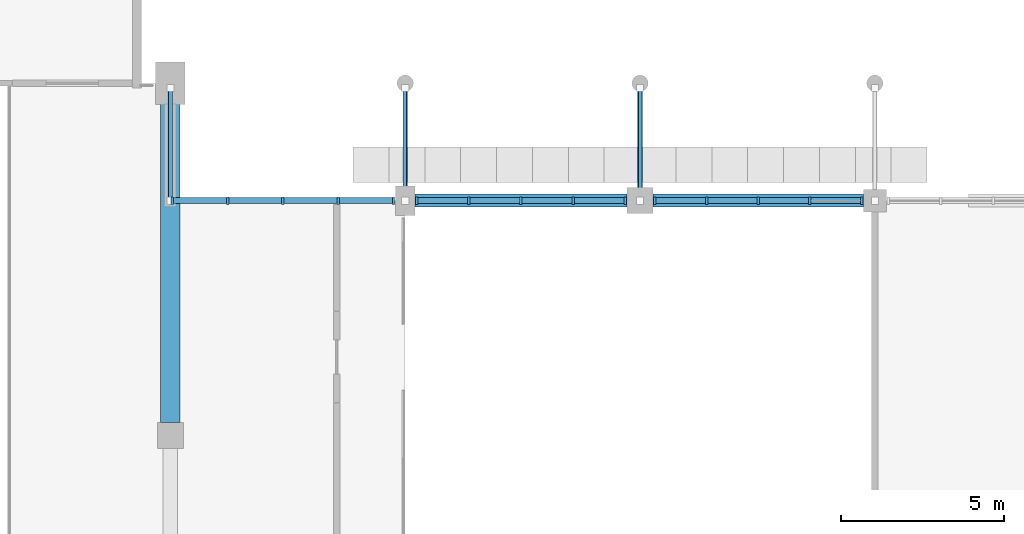
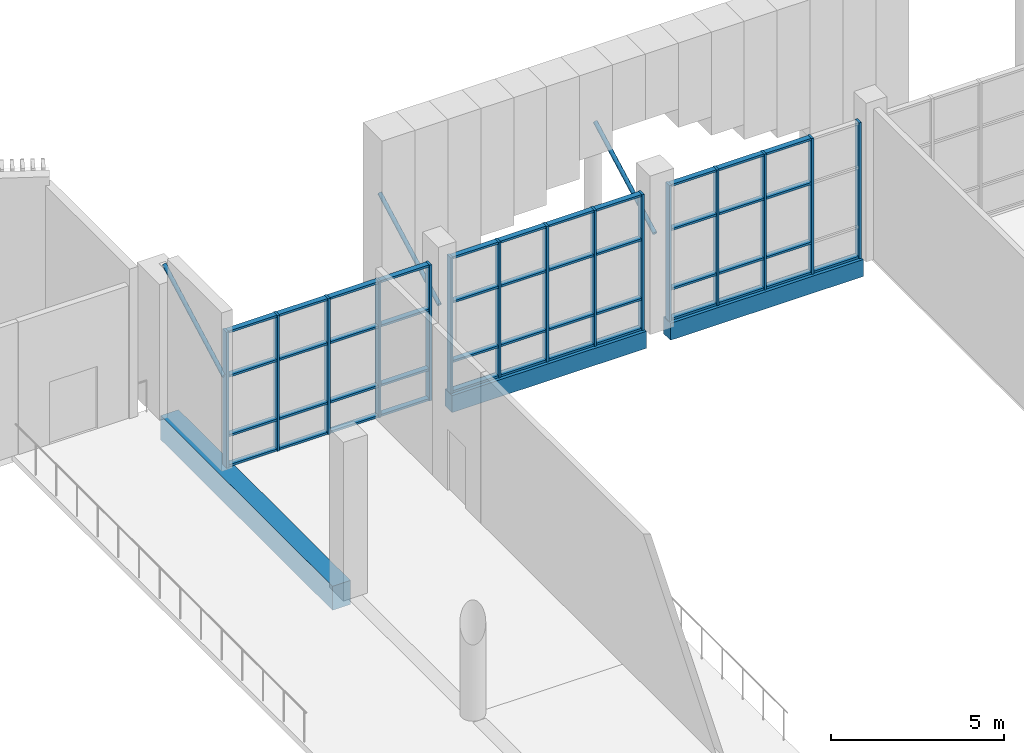
# One storey, part 27 of 80: 63 members, 3 beams, 3 elements without a shape of their own.
"""IFC4 building model written with IfcOpenShell, lengths in metres."""

import ifcopenshell
import ifcopenshell.guid

model = None  # the IFC model being written
_history = None  # IfcOwnerHistory: only IFC2X3 demands one
_inside = {}  # id of a spatial element -> (the spatial element, [elements in it])
_under = {}  # id of a project, library or spatial element -> (it, [spatial elements below it])
_declared = {}  # id of a project -> (the project, [libraries it declares])
_typed = {}  # id of a type object -> (the type object, [elements of that type])
_made_of = {}  # id of a material, layer set ... -> (it, [elements and type objects made of it])


def new_model(schema):
    """Start an empty IFC model of exactly this schema.

    Asked for "IFC4X3", IfcOpenShell would pick the latest addendum, in which some entities
    have other attributes; the version numbers below select the first issue.
    IFC2X3 requires an IfcOwnerHistory on every rooted entity: one is made here for all.
    """
    global model, _history
    if schema == "IFC4X3":
        model = ifcopenshell.file(schema_version=(4, 3, 0, 0))
    else:
        model = ifcopenshell.file(schema=schema)
    _inside.clear()
    _under.clear()
    _declared.clear()
    _typed.clear()
    _made_of.clear()
    _history = None
    if model.schema == "IFC2X3":
        org = make("IfcOrganization", Name="unknown")
        user = make(
            "IfcPersonAndOrganization",
            ThePerson=make("IfcPerson", FamilyName="unknown"),
            TheOrganization=org,
        )
        app = make(
            "IfcApplication",
            ApplicationDeveloper=org,
            Version="unknown",
            ApplicationFullName="unknown",
            ApplicationIdentifier="unknown",
        )
        _history = make(
            "IfcOwnerHistory",
            OwningUser=user,
            OwningApplication=app,
            ChangeAction="ADDED",
            CreationDate=0,
        )
    return model


def make(cls, **values):
    """One entity of the class cls with the attributes given. An attribute that is None is left unset."""
    return model.create_entity(
        cls, **{name: value for name, value in values.items() if value is not None}
    )


def rooted(cls, **values):
    """An entity with a GlobalId (a new one), such as an element, a storey or a relation."""
    return make(cls, GlobalId=ifcopenshell.guid.new(), OwnerHistory=_history, **values)


def si_unit(unit_type, name, prefix=None):
    """IfcSIUnit, for example si_unit("LENGTHUNIT", "METRE", prefix="MILLI")."""
    return make("IfcSIUnit", UnitType=unit_type, Prefix=prefix, Name=name)


def assignment(units):
    """IfcUnitAssignment: the units of a project."""
    return None if units is None else make("IfcUnitAssignment", Units=units)


def point(xyz):
    """IfcCartesianPoint."""
    return None if xyz is None else make("IfcCartesianPoint", Coordinates=xyz)


def direction(xyz):
    """IfcDirection."""
    return None if xyz is None else make("IfcDirection", DirectionRatios=xyz)


def frame(location, z_axis=None, x_axis=None):
    """IfcAxis2Placement3D, a coordinate frame: its origin and axes. An axis left out is left unset."""
    return make(
        "IfcAxis2Placement3D",
        Location=point(location),
        Axis=direction(z_axis),
        RefDirection=direction(x_axis),
    )


def frame_2d(location, x_axis=None):
    """IfcAxis2Placement2D, a coordinate frame in the plane: its origin and x axis."""
    return make(
        "IfcAxis2Placement2D", Location=point(location), RefDirection=direction(x_axis)
    )


def origin():
    """The frame at (0, 0, 0) with its axes left unset."""
    return frame((0.0, 0.0, 0.0))


def origin_2d():
    """The frame at (0, 0) in the plane with its x axis left unset."""
    return frame_2d((0.0, 0.0))


def place(relative_to, where):
    """IfcLocalPlacement: puts the frame where relative to a parent placement (None: the world)."""
    return make(
        "IfcLocalPlacement", PlacementRelTo=relative_to, RelativePlacement=where
    )


def context(
    kind, dimensions, precision=None, world=None, true_north=None, identifier=None
):
    """IfcGeometricRepresentationContext, for example the 3D "Model" context."""
    return make(
        "IfcGeometricRepresentationContext",
        ContextIdentifier=identifier,
        ContextType=kind,
        CoordinateSpaceDimension=dimensions,
        Precision=precision,
        WorldCoordinateSystem=world,
        TrueNorth=true_north,
    )


def subcontext(parent, identifier, kind, view, scale=None):
    """IfcGeometricRepresentationSubContext, for example "Body" below "Model"."""
    return make(
        "IfcGeometricRepresentationSubContext",
        ContextIdentifier=identifier,
        ContextType=kind,
        ParentContext=parent,
        TargetScale=scale,
        TargetView=view,
    )


def project(units=None, contexts=None):
    """IfcProject with its units and contexts."""
    return rooted(
        "IfcProject",
        Name="project",
        RepresentationContexts=contexts,
        UnitsInContext=assignment(units),
    )


def spatial(cls, under=None, at=None, **own):
    """A site, building, storey or space (cls), placed at a placement, below another one or the project."""
    s = rooted(cls, ObjectPlacement=at, **own)
    if under is not None:
        _under.setdefault(under.id(), (under, []))[1].append(s)
    return s


def profile(cls, at=None, kind="AREA", **sizes):
    """A parametric profile (cls). Its sizes go by their IFC names, for example OverallWidth=200.0."""
    return make(cls, ProfileType=kind, Position=at, **sizes)


def rectangle(**sizes):
    """IfcRectangleProfileDef."""
    return profile("IfcRectangleProfileDef", **sizes)


def hollow_circle(**sizes):
    """IfcCircleHollowProfileDef."""
    return profile("IfcCircleHollowProfileDef", **sizes)


def extrude(swept, where, along, depth):
    """IfcExtrudedAreaSolid: the profile swept, set in the frame where, extruded along a direction by depth."""
    return make(
        "IfcExtrudedAreaSolid",
        SweptArea=swept,
        Position=where,
        ExtrudedDirection=direction(along),
        Depth=depth,
    )


def shape(context_of_items, identifier, shape_type, items):
    """IfcShapeRepresentation: the items that make up one representation, for example the "Body"."""
    return make(
        "IfcShapeRepresentation",
        ContextOfItems=context_of_items,
        RepresentationIdentifier=identifier,
        RepresentationType=shape_type,
        Items=items,
    )


def material(Name=None, Category=None):
    """IfcMaterial."""
    return make("IfcMaterial", Name=Name, Category=Category)


def material_profile(
    of_material, cross_section, Name=None, Category=None, Priority=None
):
    """IfcMaterialProfile: a cross section and its material."""
    return make(
        "IfcMaterialProfile",
        Name=Name,
        Material=of_material,
        Profile=cross_section,
        Priority=Priority,
        Category=Category,
    )


def profile_set(profiles, Name=None, composite=None):
    """IfcMaterialProfileSet."""
    return make(
        "IfcMaterialProfileSet",
        Name=Name,
        MaterialProfiles=profiles,
        CompositeProfile=composite,
    )


def made_of(thing, what):
    """Note that an element or type object is made of a material, layer set ...; save() writes the relation."""
    if what is not None:
        _made_of.setdefault(what.id(), (what, []))[1].append(thing)
    return thing


def type_object(cls, material=None, **own):
    """A type object (cls), such as IfcWallType, which elements share."""
    return made_of(rooted(cls, **own), material)


def element(
    cls,
    number,
    at=None,
    inside=None,
    cuts=None,
    type_object=None,
    material=None,
    context=None,
    identifier="Body",
    shape_type=None,
    held_by="IfcProductDefinitionShape",
    body=None,
    shapes=None,
    **own,
):
    """One element of the class cls, such as IfcWall. Its Tag is "e" and its number.

    at: its placement. inside: the storey or other place that contains it. cuts: it is an
    opening in that element (IfcRelVoidsElement). A single representation is given by context,
    identifier, shape_type and body (its items); several are given by shapes. held_by: the class
    of the entity that holds the representations. save() writes the other relations.
    """
    e = rooted(cls, Tag="e%d" % number, ObjectPlacement=at, **own)
    if body is not None:
        shapes = [shape(context, identifier, shape_type, body)]
    if shapes is not None:
        e.Representation = make(held_by, Representations=shapes)
    if inside is not None:
        _inside.setdefault(inside.id(), (inside, []))[1].append(e)
    if cuts is not None:
        rooted(
            "IfcRelVoidsElement", RelatingBuildingElement=cuts, RelatedOpeningElement=e
        )
    if type_object is not None:
        _typed.setdefault(type_object.id(), (type_object, []))[1].append(e)
    return made_of(e, material)


def aggregate(whole, parts):
    """IfcRelAggregates: a whole, such as a stair, and the parts it consists of."""
    return rooted("IfcRelAggregates", RelatingObject=whole, RelatedObjects=parts)


def save(model, path):
    """Write the relations noted so far, then the file.

    IfcRelAggregates (storeys below a building ...), IfcRelContainedInSpatialStructure (elements
    in a storey), IfcRelDefinesByType, IfcRelAssociatesMaterial and IfcRelDeclares: one each for
    every whole, place, type object, material and project.
    """
    for whole, parts in _under.values():
        aggregate(whole, parts)
    for where, things in _inside.values():
        rooted(
            "IfcRelContainedInSpatialStructure",
            RelatedElements=things,
            RelatingStructure=where,
        )
    for kind, things in _typed.values():
        rooted("IfcRelDefinesByType", RelatedObjects=things, RelatingType=kind)
    for what, things in _made_of.values():
        rooted("IfcRelAssociatesMaterial", RelatedObjects=things, RelatingMaterial=what)
    for by, libraries in _declared.values():
        rooted("IfcRelDeclares", RelatingContext=by, RelatedDefinitions=libraries)
    model.write(path)


model = new_model("IFC4")

# Units and contexts
model_context = context("Model", 3, precision=1e-05, world=origin(), true_north=direction((0.0, 1.0)))
body_context = subcontext(model_context, "Body", "Model", "MODEL_VIEW")
ifc_project = project(units=[si_unit("LENGTHUNIT", "METRE"), si_unit("AREAUNIT", "SQUARE_METRE"), si_unit("VOLUMEUNIT", "CUBIC_METRE"), si_unit("PLANEANGLEUNIT", "RADIAN"), si_unit("MASSUNIT", "GRAM", prefix="KILO")], contexts=[model_context])

# Site, building, storey
site_placement = place(None, origin())
site = spatial("IfcSite", under=ifc_project, at=site_placement, CompositionType="ELEMENT")
building_placement = place(site_placement, origin())
building = spatial("IfcBuilding", under=site, at=building_placement, Name="Sardonyx Promenade Sports Hall", CompositionType="ELEMENT")
storey_placement = place(building_placement, frame((0.0, 0.0, 5.60009765625)))
storey = spatial("IfcBuildingStorey", under=building, at=storey_placement, Name="L01", CompositionType="ELEMENT", Elevation=5.60009765625)

# Beams
ifc_material_1 = material(Name="Concrete C50/60", Category="concrete")
ifc_material_profile_1 = material_profile(ifc_material_1, rectangle(XDim=0.60009765625, YDim=0.85009765625, at=origin_2d()))
ifc_profile_set_1 = profile_set([ifc_material_profile_1], Name="Concrete C50/60")
beam_type_1 = type_object("IfcBeamType", Name="Bm_Girder_RC850", PredefinedType="BEAM", material=ifc_profile_set_1)
beam_1_placement = place(storey_placement, frame((79.199951171875, 94.0, -0.425048828125), z_axis=(0.0, 1.0, 0.0), x_axis=(-1.0, 0.0, 0.0)))
element("IfcBeam", 1, at=beam_1_placement, inside=storey, type_object=beam_type_1, Name="Beam BG06 L01 #350", PredefinedType="BEAM", context=body_context, shape_type="SweptSolid", body=[
    extrude(rectangle(XDim=0.60009765625, YDim=0.85009765625, at=origin_2d()), origin(), (0.0, 0.0, 1.0), 9.949951171875),
])
ifc_material_2 = material(Name="Concrete C40/50", Category="concrete")
ifc_material_profile_2 = material_profile(ifc_material_2, rectangle(XDim=0.39990234375, YDim=0.60009765625, at=origin_2d()))
ifc_profile_set_2 = profile_set([ifc_material_profile_2], Name="Concrete C40/50")
beam_type_2 = type_object("IfcBeamType", Name="Bm_Spandrel_RC600", PredefinedType="SPANDREL", material=ifc_profile_set_2)
beam_2_placement = place(storey_placement, frame((86.699951171875, 100.800048828125, -0.300048828125), z_axis=(1.0, 0.0, 0.0), x_axis=(0.0, 1.0, 0.0)))
element("IfcBeam", 2, at=beam_2_placement, inside=storey, type_object=beam_type_2, Name="Beam SPB1 L01 #288", PredefinedType="SPANDREL", context=body_context, shape_type="SweptSolid", body=[
    extrude(rectangle(XDim=0.39990234375, YDim=0.60009765625, at=origin_2d()), origin(), (0.0, 0.0, 1.0), 6.5),
])
beam_3_placement = place(storey_placement, frame((94.0, 100.800048828125, -0.300048828125), z_axis=(1.0, 0.0, 0.0), x_axis=(0.0, 1.0, 0.0)))
element("IfcBeam", 3, at=beam_3_placement, inside=storey, type_object=beam_type_2, Name="Beam SPB1 L01 #289", PredefinedType="SPANDREL", context=body_context, shape_type="SweptSolid", body=[
    extrude(rectangle(XDim=0.39990234375, YDim=0.60009765625, at=origin_2d()), origin(), (0.0, 0.0, 1.0), 6.449951171875),
])

# Curtain wall, members
ifc_material_3 = material(Name="Aluminium 6063-T6", Category="aluminium")
curtain_wall_type = type_object("IfcCurtainWallType", Name="CW_Foyer_L01_Tall", PredefinedType="USERDEFINED", material=ifc_material_3)
curtain_wall_1_placement = place(storey_placement, origin())
curtain_wall_1 = element("IfcCurtainWall", 4, at=curtain_wall_1_placement, inside=storey, type_object=curtain_wall_type, Name="Curtain wall CW02 cw:L01:089", ObjectType="CURTAIN WALL", PredefinedType="USERDEFINED")
ifc_material_4 = material(Name="Aluminium 6063-T6", Category="aluminium")
ifc_material_profile_3 = material_profile(ifc_material_4, rectangle(XDim=0.074951171875, YDim=0.22509765625, at=origin_2d()))
ifc_profile_set_3 = profile_set([ifc_material_profile_3], Name="Aluminium 6063-T6")
member_type_1 = type_object("IfcMemberType", Name="CW_Mull_225", PredefinedType="MULLION", material=ifc_profile_set_3)
member_1_placement = place(storey_placement, frame((79.257568359375, 100.800048828125, 0.0), z_axis=(0.0, 0.0, 1.0), x_axis=(1.0, 0.0, 0.0)))
member_1 = element("IfcMember", 5, at=member_1_placement, type_object=member_type_1, Name="Mullion CM04 cw:L01:089 #1", PredefinedType="MULLION", context=body_context, shape_type="SweptSolid", body=[
    extrude(rectangle(XDim=0.074951171875, YDim=0.22509765625, at=origin_2d()), origin(), (0.0, 0.0, 1.0), 4.7998046875),
])
member_2_placement = place(storey_placement, frame((80.953857421875, 100.800048828125, 0.0), z_axis=(0.0, 0.0, 1.0), x_axis=(1.0, 0.0, 0.0)))
member_2 = element("IfcMember", 6, at=member_2_placement, type_object=member_type_1, Name="Mullion CM04 cw:L01:089 #2", PredefinedType="MULLION", context=body_context, shape_type="SweptSolid", body=[
    extrude(rectangle(XDim=0.074951171875, YDim=0.22509765625, at=origin_2d()), origin(), (0.0, 0.0, 1.0), 4.7998046875),
])
member_3_placement = place(storey_placement, frame((82.64990234375, 100.800048828125, 0.0), z_axis=(0.0, 0.0, 1.0), x_axis=(1.0, 0.0, 0.0)))
member_3 = element("IfcMember", 7, at=member_3_placement, type_object=member_type_1, Name="Mullion CM04 cw:L01:089 #3", PredefinedType="MULLION", context=body_context, shape_type="SweptSolid", body=[
    extrude(rectangle(XDim=0.074951171875, YDim=0.22509765625, at=origin_2d()), origin(), (0.0, 0.0, 1.0), 4.7998046875),
])
member_4_placement = place(storey_placement, frame((84.34619140625, 100.800048828125, 0.0), z_axis=(0.0, 0.0, 1.0), x_axis=(1.0, 0.0, 0.0)))
member_4 = element("IfcMember", 8, at=member_4_placement, type_object=member_type_1, Name="Mullion CM04 cw:L01:089 #4", PredefinedType="MULLION", context=body_context, shape_type="SweptSolid", body=[
    extrude(rectangle(XDim=0.074951171875, YDim=0.22509765625, at=origin_2d()), origin(), (0.0, 0.0, 1.0), 4.7998046875),
])
member_5_placement = place(storey_placement, frame((86.04248046875, 100.800048828125, 0.0), z_axis=(0.0, 0.0, 1.0), x_axis=(1.0, 0.0, 0.0)))
member_5 = element("IfcMember", 9, at=member_5_placement, type_object=member_type_1, Name="Mullion CM04 cw:L01:089 #5", PredefinedType="MULLION", context=body_context, shape_type="SweptSolid", body=[
    extrude(rectangle(XDim=0.074951171875, YDim=0.22509765625, at=origin_2d()), origin(), (0.0, 0.0, 1.0), 4.7998046875),
])

curtain_wall_2_placement = place(storey_placement, origin())
curtain_wall_2 = element("IfcCurtainWall", 10, at=curtain_wall_2_placement, inside=storey, type_object=curtain_wall_type, Name="Curtain wall CW02 cw:L01:090", ObjectType="CURTAIN WALL", PredefinedType="USERDEFINED")
member_6_placement = place(storey_placement, frame((86.757568359375, 100.800048828125, 0.0), z_axis=(0.0, 0.0, 1.0), x_axis=(1.0, 0.0, 0.0)))
member_6 = element("IfcMember", 11, at=member_6_placement, type_object=member_type_1, Name="Mullion CM04 cw:L01:090 #1", PredefinedType="MULLION", context=body_context, shape_type="SweptSolid", body=[
    extrude(rectangle(XDim=0.074951171875, YDim=0.22509765625, at=origin_2d()), origin(), (0.0, 0.0, 1.0), 4.7998046875),
])
member_7_placement = place(storey_placement, frame((88.353759765625, 100.800048828125, 0.0), z_axis=(0.0, 0.0, 1.0), x_axis=(1.0, 0.0, 0.0)))
member_7 = element("IfcMember", 12, at=member_7_placement, type_object=member_type_1, Name="Mullion CM04 cw:L01:090 #2", PredefinedType="MULLION", context=body_context, shape_type="SweptSolid", body=[
    extrude(rectangle(XDim=0.074951171875, YDim=0.22509765625, at=origin_2d()), origin(), (0.0, 0.0, 1.0), 4.7998046875),
])
member_8_placement = place(storey_placement, frame((89.949951171875, 100.800048828125, 0.0), z_axis=(0.0, 0.0, 1.0), x_axis=(1.0, 0.0, 0.0)))
member_8 = element("IfcMember", 13, at=member_8_placement, type_object=member_type_1, Name="Mullion CM04 cw:L01:090 #3", PredefinedType="MULLION", context=body_context, shape_type="SweptSolid", body=[
    extrude(rectangle(XDim=0.074951171875, YDim=0.22509765625, at=origin_2d()), origin(), (0.0, 0.0, 1.0), 4.7998046875),
])
member_9_placement = place(storey_placement, frame((91.546142578125, 100.800048828125, 0.0), z_axis=(0.0, 0.0, 1.0), x_axis=(1.0, 0.0, 0.0)))
member_9 = element("IfcMember", 14, at=member_9_placement, type_object=member_type_1, Name="Mullion CM04 cw:L01:090 #4", PredefinedType="MULLION", context=body_context, shape_type="SweptSolid", body=[
    extrude(rectangle(XDim=0.074951171875, YDim=0.22509765625, at=origin_2d()), origin(), (0.0, 0.0, 1.0), 4.7998046875),
])
member_10_placement = place(storey_placement, frame((93.142578125, 100.800048828125, 0.0), z_axis=(0.0, 0.0, 1.0), x_axis=(1.0, 0.0, 0.0)))
member_10 = element("IfcMember", 15, at=member_10_placement, type_object=member_type_1, Name="Mullion CM04 cw:L01:090 #5", PredefinedType="MULLION", context=body_context, shape_type="SweptSolid", body=[
    extrude(rectangle(XDim=0.074951171875, YDim=0.22509765625, at=origin_2d()), origin(), (0.0, 0.0, 1.0), 4.7998046875),
])

curtain_wall_3_placement = place(storey_placement, origin())
curtain_wall_3 = element("IfcCurtainWall", 16, at=curtain_wall_3_placement, inside=storey, type_object=curtain_wall_type, Name="Curtain wall CW02 cw:L01:091", ObjectType="CURTAIN WALL", PredefinedType="USERDEFINED")
member_11_placement = place(storey_placement, frame((94.0576171875, 100.800048828125, 0.0), z_axis=(0.0, 0.0, 1.0), x_axis=(1.0, 0.0, 0.0)))
member_11 = element("IfcMember", 17, at=member_11_placement, type_object=member_type_1, Name="Mullion CM04 cw:L01:091 #1", PredefinedType="MULLION", context=body_context, shape_type="SweptSolid", body=[
    extrude(rectangle(XDim=0.074951171875, YDim=0.22509765625, at=origin_2d()), origin(), (0.0, 0.0, 1.0), 4.7998046875),
])
member_12_placement = place(storey_placement, frame((95.641357421875, 100.800048828125, 0.0), z_axis=(0.0, 0.0, 1.0), x_axis=(1.0, 0.0, 0.0)))
member_12 = element("IfcMember", 18, at=member_12_placement, type_object=member_type_1, Name="Mullion CM04 cw:L01:091 #2", PredefinedType="MULLION", context=body_context, shape_type="SweptSolid", body=[
    extrude(rectangle(XDim=0.074951171875, YDim=0.22509765625, at=origin_2d()), origin(), (0.0, 0.0, 1.0), 4.7998046875),
])
member_13_placement = place(storey_placement, frame((97.22509765625, 100.800048828125, 0.0), z_axis=(0.0, 0.0, 1.0), x_axis=(1.0, 0.0, 0.0)))
member_13 = element("IfcMember", 19, at=member_13_placement, type_object=member_type_1, Name="Mullion CM04 cw:L01:091 #3", PredefinedType="MULLION", context=body_context, shape_type="SweptSolid", body=[
    extrude(rectangle(XDim=0.074951171875, YDim=0.22509765625, at=origin_2d()), origin(), (0.0, 0.0, 1.0), 4.7998046875),
])
member_14_placement = place(storey_placement, frame((98.808837890625, 100.800048828125, 0.0), z_axis=(0.0, 0.0, 1.0), x_axis=(1.0, 0.0, 0.0)))
member_14 = element("IfcMember", 20, at=member_14_placement, type_object=member_type_1, Name="Mullion CM04 cw:L01:091 #4", PredefinedType="MULLION", context=body_context, shape_type="SweptSolid", body=[
    extrude(rectangle(XDim=0.074951171875, YDim=0.22509765625, at=origin_2d()), origin(), (0.0, 0.0, 1.0), 4.7998046875),
])
member_15_placement = place(storey_placement, frame((100.392578125, 100.800048828125, 0.0), z_axis=(0.0, 0.0, 1.0), x_axis=(1.0, 0.0, 0.0)))
member_15 = element("IfcMember", 21, at=member_15_placement, type_object=member_type_1, Name="Mullion CM04 cw:L01:091 #5", PredefinedType="MULLION", context=body_context, shape_type="SweptSolid", body=[
    extrude(rectangle(XDim=0.074951171875, YDim=0.22509765625, at=origin_2d()), origin(), (0.0, 0.0, 1.0), 4.7998046875),
])

# Member
ifc_material_5 = material(Name="Aluminium 6063-T6", Category="aluminium")
ifc_material_profile_4 = material_profile(ifc_material_5, rectangle(XDim=0.074951171875, YDim=0.179931640625, at=origin_2d()))
ifc_profile_set_4 = profile_set([ifc_material_profile_4], Name="Aluminium 6063-T6")
member_type_2 = type_object("IfcMemberType", Name="CW_Tran_180", PredefinedType="USERDEFINED", material=ifc_profile_set_4)
member_16_placement = place(storey_placement, frame((79.294921875, 100.800048828125, 0.037353515625), z_axis=(1.0, 0.0, 0.0), x_axis=(0.0, 0.0, 1.0)))
member_16 = element("IfcMember", 22, at=member_16_placement, type_object=member_type_2, Name="Transom CT04 cw:L01:089 #1", ObjectType="TRANSOM", PredefinedType="USERDEFINED", context=body_context, shape_type="SweptSolid", body=[
    extrude(rectangle(XDim=0.074951171875, YDim=0.179931640625, at=origin_2d()), origin(), (0.0, 0.0, 1.0), 1.621337890625),
])

member_17_placement = place(storey_placement, frame((79.294921875, 100.800048828125, 1.099853515625), z_axis=(1.0, 0.0, 0.0), x_axis=(0.0, 0.0, 1.0)))
member_17 = element("IfcMember", 23, at=member_17_placement, type_object=member_type_2, Name="Transom CT04 cw:L01:089 #2", ObjectType="TRANSOM", PredefinedType="USERDEFINED", context=body_context, shape_type="SweptSolid", body=[
    extrude(rectangle(XDim=0.074951171875, YDim=0.179931640625, at=origin_2d()), origin(), (0.0, 0.0, 1.0), 1.621337890625),
])

member_18_placement = place(storey_placement, frame((79.294921875, 100.800048828125, 3.199951171875), z_axis=(1.0, 0.0, 0.0), x_axis=(0.0, 0.0, 1.0)))
member_18 = element("IfcMember", 24, at=member_18_placement, type_object=member_type_2, Name="Transom CT04 cw:L01:089 #3", ObjectType="TRANSOM", PredefinedType="USERDEFINED", context=body_context, shape_type="SweptSolid", body=[
    extrude(rectangle(XDim=0.074951171875, YDim=0.179931640625, at=origin_2d()), origin(), (0.0, 0.0, 1.0), 1.621337890625),
])

member_19_placement = place(storey_placement, frame((79.294921875, 100.800048828125, 4.762451171875), z_axis=(1.0, 0.0, 0.0), x_axis=(0.0, 0.0, 1.0)))
member_19 = element("IfcMember", 25, at=member_19_placement, type_object=member_type_2, Name="Transom CT04 cw:L01:089 #4", ObjectType="TRANSOM", PredefinedType="USERDEFINED", context=body_context, shape_type="SweptSolid", body=[
    extrude(rectangle(XDim=0.074951171875, YDim=0.179931640625, at=origin_2d()), origin(), (0.0, 0.0, 1.0), 1.621337890625),
])

member_20_placement = place(storey_placement, frame((80.9912109375, 100.800048828125, 0.037353515625), z_axis=(1.0, 0.0, 0.0), x_axis=(0.0, 0.0, 1.0)))
member_20 = element("IfcMember", 26, at=member_20_placement, type_object=member_type_2, Name="Transom CT04 cw:L01:089 #5", ObjectType="TRANSOM", PredefinedType="USERDEFINED", context=body_context, shape_type="SweptSolid", body=[
    extrude(rectangle(XDim=0.074951171875, YDim=0.179931640625, at=origin_2d()), origin(), (0.0, 0.0, 1.0), 1.621337890625),
])

member_21_placement = place(storey_placement, frame((80.9912109375, 100.800048828125, 1.099853515625), z_axis=(1.0, 0.0, 0.0), x_axis=(0.0, 0.0, 1.0)))
member_21 = element("IfcMember", 27, at=member_21_placement, type_object=member_type_2, Name="Transom CT04 cw:L01:089 #6", ObjectType="TRANSOM", PredefinedType="USERDEFINED", context=body_context, shape_type="SweptSolid", body=[
    extrude(rectangle(XDim=0.074951171875, YDim=0.179931640625, at=origin_2d()), origin(), (0.0, 0.0, 1.0), 1.621337890625),
])

member_22_placement = place(storey_placement, frame((80.9912109375, 100.800048828125, 3.199951171875), z_axis=(1.0, 0.0, 0.0), x_axis=(0.0, 0.0, 1.0)))
member_22 = element("IfcMember", 28, at=member_22_placement, type_object=member_type_2, Name="Transom CT04 cw:L01:089 #7", ObjectType="TRANSOM", PredefinedType="USERDEFINED", context=body_context, shape_type="SweptSolid", body=[
    extrude(rectangle(XDim=0.074951171875, YDim=0.179931640625, at=origin_2d()), origin(), (0.0, 0.0, 1.0), 1.621337890625),
])

member_23_placement = place(storey_placement, frame((80.9912109375, 100.800048828125, 4.762451171875), z_axis=(1.0, 0.0, 0.0), x_axis=(0.0, 0.0, 1.0)))
member_23 = element("IfcMember", 29, at=member_23_placement, type_object=member_type_2, Name="Transom CT04 cw:L01:089 #8", ObjectType="TRANSOM", PredefinedType="USERDEFINED", context=body_context, shape_type="SweptSolid", body=[
    extrude(rectangle(XDim=0.074951171875, YDim=0.179931640625, at=origin_2d()), origin(), (0.0, 0.0, 1.0), 1.621337890625),
])

member_24_placement = place(storey_placement, frame((82.6875, 100.800048828125, 0.037353515625), z_axis=(1.0, 0.0, 0.0), x_axis=(0.0, 0.0, 1.0)))
member_24 = element("IfcMember", 30, at=member_24_placement, type_object=member_type_2, Name="Transom CT04 cw:L01:089 #9", ObjectType="TRANSOM", PredefinedType="USERDEFINED", context=body_context, shape_type="SweptSolid", body=[
    extrude(rectangle(XDim=0.074951171875, YDim=0.179931640625, at=origin_2d()), origin(), (0.0, 0.0, 1.0), 1.621337890625),
])

member_25_placement = place(storey_placement, frame((82.6875, 100.800048828125, 1.099853515625), z_axis=(1.0, 0.0, 0.0), x_axis=(0.0, 0.0, 1.0)))
member_25 = element("IfcMember", 31, at=member_25_placement, type_object=member_type_2, Name="Transom CT04 cw:L01:089 #10", ObjectType="TRANSOM", PredefinedType="USERDEFINED", context=body_context, shape_type="SweptSolid", body=[
    extrude(rectangle(XDim=0.074951171875, YDim=0.179931640625, at=origin_2d()), origin(), (0.0, 0.0, 1.0), 1.621337890625),
])

member_26_placement = place(storey_placement, frame((82.6875, 100.800048828125, 3.199951171875), z_axis=(1.0, 0.0, 0.0), x_axis=(0.0, 0.0, 1.0)))
member_26 = element("IfcMember", 32, at=member_26_placement, type_object=member_type_2, Name="Transom CT04 cw:L01:089 #11", ObjectType="TRANSOM", PredefinedType="USERDEFINED", context=body_context, shape_type="SweptSolid", body=[
    extrude(rectangle(XDim=0.074951171875, YDim=0.179931640625, at=origin_2d()), origin(), (0.0, 0.0, 1.0), 1.621337890625),
])

member_27_placement = place(storey_placement, frame((82.6875, 100.800048828125, 4.762451171875), z_axis=(1.0, 0.0, 0.0), x_axis=(0.0, 0.0, 1.0)))
member_27 = element("IfcMember", 33, at=member_27_placement, type_object=member_type_2, Name="Transom CT04 cw:L01:089 #12", ObjectType="TRANSOM", PredefinedType="USERDEFINED", context=body_context, shape_type="SweptSolid", body=[
    extrude(rectangle(XDim=0.074951171875, YDim=0.179931640625, at=origin_2d()), origin(), (0.0, 0.0, 1.0), 1.621337890625),
])

member_28_placement = place(storey_placement, frame((84.3837890625, 100.800048828125, 0.037353515625), z_axis=(1.0, 0.0, 0.0), x_axis=(0.0, 0.0, 1.0)))
member_28 = element("IfcMember", 34, at=member_28_placement, type_object=member_type_2, Name="Transom CT04 cw:L01:089 #13", ObjectType="TRANSOM", PredefinedType="USERDEFINED", context=body_context, shape_type="SweptSolid", body=[
    extrude(rectangle(XDim=0.074951171875, YDim=0.179931640625, at=origin_2d()), origin(), (0.0, 0.0, 1.0), 1.62109375),
])

member_29_placement = place(storey_placement, frame((84.3837890625, 100.800048828125, 1.099853515625), z_axis=(1.0, 0.0, 0.0), x_axis=(0.0, 0.0, 1.0)))
member_29 = element("IfcMember", 35, at=member_29_placement, type_object=member_type_2, Name="Transom CT04 cw:L01:089 #14", ObjectType="TRANSOM", PredefinedType="USERDEFINED", context=body_context, shape_type="SweptSolid", body=[
    extrude(rectangle(XDim=0.074951171875, YDim=0.179931640625, at=origin_2d()), origin(), (0.0, 0.0, 1.0), 1.62109375),
])

member_30_placement = place(storey_placement, frame((84.3837890625, 100.800048828125, 3.199951171875), z_axis=(1.0, 0.0, 0.0), x_axis=(0.0, 0.0, 1.0)))
member_30 = element("IfcMember", 36, at=member_30_placement, type_object=member_type_2, Name="Transom CT04 cw:L01:089 #15", ObjectType="TRANSOM", PredefinedType="USERDEFINED", context=body_context, shape_type="SweptSolid", body=[
    extrude(rectangle(XDim=0.074951171875, YDim=0.179931640625, at=origin_2d()), origin(), (0.0, 0.0, 1.0), 1.62109375),
])

member_31_placement = place(storey_placement, frame((84.3837890625, 100.800048828125, 4.762451171875), z_axis=(1.0, 0.0, 0.0), x_axis=(0.0, 0.0, 1.0)))
member_31 = element("IfcMember", 37, at=member_31_placement, type_object=member_type_2, Name="Transom CT04 cw:L01:089 #16", ObjectType="TRANSOM", PredefinedType="USERDEFINED", context=body_context, shape_type="SweptSolid", body=[
    extrude(rectangle(XDim=0.074951171875, YDim=0.179931640625, at=origin_2d()), origin(), (0.0, 0.0, 1.0), 1.62109375),
])

aggregate(curtain_wall_1, [member_1, member_2, member_3, member_4, member_5, member_16, member_17, member_18, member_19, member_20, member_21, member_22, member_23, member_24, member_25, member_26, member_27, member_28, member_29, member_30, member_31])

member_32_placement = place(storey_placement, frame((86.794921875, 100.800048828125, 0.037353515625), z_axis=(1.0, 0.0, 0.0), x_axis=(0.0, 0.0, 1.0)))
member_32 = element("IfcMember", 38, at=member_32_placement, type_object=member_type_2, Name="Transom CT04 cw:L01:090 #1", ObjectType="TRANSOM", PredefinedType="USERDEFINED", context=body_context, shape_type="SweptSolid", body=[
    extrude(rectangle(XDim=0.074951171875, YDim=0.179931640625, at=origin_2d()), origin(), (0.0, 0.0, 1.0), 1.521240234375),
])

member_33_placement = place(storey_placement, frame((86.794921875, 100.800048828125, 1.099853515625), z_axis=(1.0, 0.0, 0.0), x_axis=(0.0, 0.0, 1.0)))
member_33 = element("IfcMember", 39, at=member_33_placement, type_object=member_type_2, Name="Transom CT04 cw:L01:090 #2", ObjectType="TRANSOM", PredefinedType="USERDEFINED", context=body_context, shape_type="SweptSolid", body=[
    extrude(rectangle(XDim=0.074951171875, YDim=0.179931640625, at=origin_2d()), origin(), (0.0, 0.0, 1.0), 1.521240234375),
])

member_34_placement = place(storey_placement, frame((86.794921875, 100.800048828125, 3.199951171875), z_axis=(1.0, 0.0, 0.0), x_axis=(0.0, 0.0, 1.0)))
member_34 = element("IfcMember", 40, at=member_34_placement, type_object=member_type_2, Name="Transom CT04 cw:L01:090 #3", ObjectType="TRANSOM", PredefinedType="USERDEFINED", context=body_context, shape_type="SweptSolid", body=[
    extrude(rectangle(XDim=0.074951171875, YDim=0.179931640625, at=origin_2d()), origin(), (0.0, 0.0, 1.0), 1.521240234375),
])

member_35_placement = place(storey_placement, frame((86.794921875, 100.800048828125, 4.762451171875), z_axis=(1.0, 0.0, 0.0), x_axis=(0.0, 0.0, 1.0)))
member_35 = element("IfcMember", 41, at=member_35_placement, type_object=member_type_2, Name="Transom CT04 cw:L01:090 #4", ObjectType="TRANSOM", PredefinedType="USERDEFINED", context=body_context, shape_type="SweptSolid", body=[
    extrude(rectangle(XDim=0.074951171875, YDim=0.179931640625, at=origin_2d()), origin(), (0.0, 0.0, 1.0), 1.521240234375),
])

member_36_placement = place(storey_placement, frame((88.391357421875, 100.800048828125, 0.037353515625), z_axis=(1.0, 0.0, 0.0), x_axis=(0.0, 0.0, 1.0)))
member_36 = element("IfcMember", 42, at=member_36_placement, type_object=member_type_2, Name="Transom CT04 cw:L01:090 #5", ObjectType="TRANSOM", PredefinedType="USERDEFINED", context=body_context, shape_type="SweptSolid", body=[
    extrude(rectangle(XDim=0.074951171875, YDim=0.179931640625, at=origin_2d()), origin(), (0.0, 0.0, 1.0), 1.521240234375),
])

member_37_placement = place(storey_placement, frame((88.391357421875, 100.800048828125, 1.099853515625), z_axis=(1.0, 0.0, 0.0), x_axis=(0.0, 0.0, 1.0)))
member_37 = element("IfcMember", 43, at=member_37_placement, type_object=member_type_2, Name="Transom CT04 cw:L01:090 #6", ObjectType="TRANSOM", PredefinedType="USERDEFINED", context=body_context, shape_type="SweptSolid", body=[
    extrude(rectangle(XDim=0.074951171875, YDim=0.179931640625, at=origin_2d()), origin(), (0.0, 0.0, 1.0), 1.521240234375),
])

member_38_placement = place(storey_placement, frame((88.391357421875, 100.800048828125, 3.199951171875), z_axis=(1.0, 0.0, 0.0), x_axis=(0.0, 0.0, 1.0)))
member_38 = element("IfcMember", 44, at=member_38_placement, type_object=member_type_2, Name="Transom CT04 cw:L01:090 #7", ObjectType="TRANSOM", PredefinedType="USERDEFINED", context=body_context, shape_type="SweptSolid", body=[
    extrude(rectangle(XDim=0.074951171875, YDim=0.179931640625, at=origin_2d()), origin(), (0.0, 0.0, 1.0), 1.521240234375),
])

member_39_placement = place(storey_placement, frame((88.391357421875, 100.800048828125, 4.762451171875), z_axis=(1.0, 0.0, 0.0), x_axis=(0.0, 0.0, 1.0)))
member_39 = element("IfcMember", 45, at=member_39_placement, type_object=member_type_2, Name="Transom CT04 cw:L01:090 #8", ObjectType="TRANSOM", PredefinedType="USERDEFINED", context=body_context, shape_type="SweptSolid", body=[
    extrude(rectangle(XDim=0.074951171875, YDim=0.179931640625, at=origin_2d()), origin(), (0.0, 0.0, 1.0), 1.521240234375),
])

member_40_placement = place(storey_placement, frame((89.987548828125, 100.800048828125, 0.037353515625), z_axis=(1.0, 0.0, 0.0), x_axis=(0.0, 0.0, 1.0)))
member_40 = element("IfcMember", 46, at=member_40_placement, type_object=member_type_2, Name="Transom CT04 cw:L01:090 #9", ObjectType="TRANSOM", PredefinedType="USERDEFINED", context=body_context, shape_type="SweptSolid", body=[
    extrude(rectangle(XDim=0.074951171875, YDim=0.179931640625, at=origin_2d()), origin(), (0.0, 0.0, 1.0), 1.521240234375),
])

member_41_placement = place(storey_placement, frame((89.987548828125, 100.800048828125, 1.099853515625), z_axis=(1.0, 0.0, 0.0), x_axis=(0.0, 0.0, 1.0)))
member_41 = element("IfcMember", 47, at=member_41_placement, type_object=member_type_2, Name="Transom CT04 cw:L01:090 #10", ObjectType="TRANSOM", PredefinedType="USERDEFINED", context=body_context, shape_type="SweptSolid", body=[
    extrude(rectangle(XDim=0.074951171875, YDim=0.179931640625, at=origin_2d()), origin(), (0.0, 0.0, 1.0), 1.521240234375),
])

member_42_placement = place(storey_placement, frame((89.987548828125, 100.800048828125, 3.199951171875), z_axis=(1.0, 0.0, 0.0), x_axis=(0.0, 0.0, 1.0)))
member_42 = element("IfcMember", 48, at=member_42_placement, type_object=member_type_2, Name="Transom CT04 cw:L01:090 #11", ObjectType="TRANSOM", PredefinedType="USERDEFINED", context=body_context, shape_type="SweptSolid", body=[
    extrude(rectangle(XDim=0.074951171875, YDim=0.179931640625, at=origin_2d()), origin(), (0.0, 0.0, 1.0), 1.521240234375),
])

member_43_placement = place(storey_placement, frame((89.987548828125, 100.800048828125, 4.762451171875), z_axis=(1.0, 0.0, 0.0), x_axis=(0.0, 0.0, 1.0)))
member_43 = element("IfcMember", 49, at=member_43_placement, type_object=member_type_2, Name="Transom CT04 cw:L01:090 #12", ObjectType="TRANSOM", PredefinedType="USERDEFINED", context=body_context, shape_type="SweptSolid", body=[
    extrude(rectangle(XDim=0.074951171875, YDim=0.179931640625, at=origin_2d()), origin(), (0.0, 0.0, 1.0), 1.521240234375),
])

member_44_placement = place(storey_placement, frame((91.583740234375, 100.800048828125, 0.037353515625), z_axis=(1.0, 0.0, 0.0), x_axis=(0.0, 0.0, 1.0)))
member_44 = element("IfcMember", 50, at=member_44_placement, type_object=member_type_2, Name="Transom CT04 cw:L01:090 #13", ObjectType="TRANSOM", PredefinedType="USERDEFINED", context=body_context, shape_type="SweptSolid", body=[
    extrude(rectangle(XDim=0.074951171875, YDim=0.179931640625, at=origin_2d()), origin(), (0.0, 0.0, 1.0), 1.521240234375),
])

member_45_placement = place(storey_placement, frame((91.583740234375, 100.800048828125, 1.099853515625), z_axis=(1.0, 0.0, 0.0), x_axis=(0.0, 0.0, 1.0)))
member_45 = element("IfcMember", 51, at=member_45_placement, type_object=member_type_2, Name="Transom CT04 cw:L01:090 #14", ObjectType="TRANSOM", PredefinedType="USERDEFINED", context=body_context, shape_type="SweptSolid", body=[
    extrude(rectangle(XDim=0.074951171875, YDim=0.179931640625, at=origin_2d()), origin(), (0.0, 0.0, 1.0), 1.521240234375),
])

member_46_placement = place(storey_placement, frame((91.583740234375, 100.800048828125, 3.199951171875), z_axis=(1.0, 0.0, 0.0), x_axis=(0.0, 0.0, 1.0)))
member_46 = element("IfcMember", 52, at=member_46_placement, type_object=member_type_2, Name="Transom CT04 cw:L01:090 #15", ObjectType="TRANSOM", PredefinedType="USERDEFINED", context=body_context, shape_type="SweptSolid", body=[
    extrude(rectangle(XDim=0.074951171875, YDim=0.179931640625, at=origin_2d()), origin(), (0.0, 0.0, 1.0), 1.521240234375),
])

member_47_placement = place(storey_placement, frame((91.583740234375, 100.800048828125, 4.762451171875), z_axis=(1.0, 0.0, 0.0), x_axis=(0.0, 0.0, 1.0)))
member_47 = element("IfcMember", 53, at=member_47_placement, type_object=member_type_2, Name="Transom CT04 cw:L01:090 #16", ObjectType="TRANSOM", PredefinedType="USERDEFINED", context=body_context, shape_type="SweptSolid", body=[
    extrude(rectangle(XDim=0.074951171875, YDim=0.179931640625, at=origin_2d()), origin(), (0.0, 0.0, 1.0), 1.521240234375),
])

aggregate(curtain_wall_2, [member_6, member_7, member_8, member_9, member_10, member_32, member_33, member_34, member_35, member_36, member_37, member_38, member_39, member_40, member_41, member_42, member_43, member_44, member_45, member_46, member_47])

member_48_placement = place(storey_placement, frame((94.094970703125, 100.800048828125, 0.037353515625), z_axis=(1.0, 0.0, 0.0), x_axis=(0.0, 0.0, 1.0)))
member_48 = element("IfcMember", 54, at=member_48_placement, type_object=member_type_2, Name="Transom CT04 cw:L01:091 #1", ObjectType="TRANSOM", PredefinedType="USERDEFINED", context=body_context, shape_type="SweptSolid", body=[
    extrude(rectangle(XDim=0.074951171875, YDim=0.179931640625, at=origin_2d()), origin(), (0.0, 0.0, 1.0), 1.5087890625),
])

member_49_placement = place(storey_placement, frame((94.094970703125, 100.800048828125, 1.099853515625), z_axis=(1.0, 0.0, 0.0), x_axis=(0.0, 0.0, 1.0)))
member_49 = element("IfcMember", 55, at=member_49_placement, type_object=member_type_2, Name="Transom CT04 cw:L01:091 #2", ObjectType="TRANSOM", PredefinedType="USERDEFINED", context=body_context, shape_type="SweptSolid", body=[
    extrude(rectangle(XDim=0.074951171875, YDim=0.179931640625, at=origin_2d()), origin(), (0.0, 0.0, 1.0), 1.5087890625),
])

member_50_placement = place(storey_placement, frame((94.094970703125, 100.800048828125, 3.199951171875), z_axis=(1.0, 0.0, 0.0), x_axis=(0.0, 0.0, 1.0)))
member_50 = element("IfcMember", 56, at=member_50_placement, type_object=member_type_2, Name="Transom CT04 cw:L01:091 #3", ObjectType="TRANSOM", PredefinedType="USERDEFINED", context=body_context, shape_type="SweptSolid", body=[
    extrude(rectangle(XDim=0.074951171875, YDim=0.179931640625, at=origin_2d()), origin(), (0.0, 0.0, 1.0), 1.5087890625),
])

member_51_placement = place(storey_placement, frame((94.094970703125, 100.800048828125, 4.762451171875), z_axis=(1.0, 0.0, 0.0), x_axis=(0.0, 0.0, 1.0)))
member_51 = element("IfcMember", 57, at=member_51_placement, type_object=member_type_2, Name="Transom CT04 cw:L01:091 #4", ObjectType="TRANSOM", PredefinedType="USERDEFINED", context=body_context, shape_type="SweptSolid", body=[
    extrude(rectangle(XDim=0.074951171875, YDim=0.179931640625, at=origin_2d()), origin(), (0.0, 0.0, 1.0), 1.5087890625),
])

member_52_placement = place(storey_placement, frame((95.6787109375, 100.800048828125, 0.037353515625), z_axis=(1.0, 0.0, 0.0), x_axis=(0.0, 0.0, 1.0)))
member_52 = element("IfcMember", 58, at=member_52_placement, type_object=member_type_2, Name="Transom CT04 cw:L01:091 #5", ObjectType="TRANSOM", PredefinedType="USERDEFINED", context=body_context, shape_type="SweptSolid", body=[
    extrude(rectangle(XDim=0.074951171875, YDim=0.179931640625, at=origin_2d()), origin(), (0.0, 0.0, 1.0), 1.5087890625),
])

member_53_placement = place(storey_placement, frame((95.6787109375, 100.800048828125, 1.099853515625), z_axis=(1.0, 0.0, 0.0), x_axis=(0.0, 0.0, 1.0)))
member_53 = element("IfcMember", 59, at=member_53_placement, type_object=member_type_2, Name="Transom CT04 cw:L01:091 #6", ObjectType="TRANSOM", PredefinedType="USERDEFINED", context=body_context, shape_type="SweptSolid", body=[
    extrude(rectangle(XDim=0.074951171875, YDim=0.179931640625, at=origin_2d()), origin(), (0.0, 0.0, 1.0), 1.5087890625),
])

member_54_placement = place(storey_placement, frame((95.6787109375, 100.800048828125, 3.199951171875), z_axis=(1.0, 0.0, 0.0), x_axis=(0.0, 0.0, 1.0)))
member_54 = element("IfcMember", 60, at=member_54_placement, type_object=member_type_2, Name="Transom CT04 cw:L01:091 #7", ObjectType="TRANSOM", PredefinedType="USERDEFINED", context=body_context, shape_type="SweptSolid", body=[
    extrude(rectangle(XDim=0.074951171875, YDim=0.179931640625, at=origin_2d()), origin(), (0.0, 0.0, 1.0), 1.5087890625),
])

member_55_placement = place(storey_placement, frame((95.6787109375, 100.800048828125, 4.762451171875), z_axis=(1.0, 0.0, 0.0), x_axis=(0.0, 0.0, 1.0)))
member_55 = element("IfcMember", 61, at=member_55_placement, type_object=member_type_2, Name="Transom CT04 cw:L01:091 #8", ObjectType="TRANSOM", PredefinedType="USERDEFINED", context=body_context, shape_type="SweptSolid", body=[
    extrude(rectangle(XDim=0.074951171875, YDim=0.179931640625, at=origin_2d()), origin(), (0.0, 0.0, 1.0), 1.5087890625),
])

member_56_placement = place(storey_placement, frame((97.262451171875, 100.800048828125, 0.037353515625), z_axis=(1.0, 0.0, 0.0), x_axis=(0.0, 0.0, 1.0)))
member_56 = element("IfcMember", 62, at=member_56_placement, type_object=member_type_2, Name="Transom CT04 cw:L01:091 #9", ObjectType="TRANSOM", PredefinedType="USERDEFINED", context=body_context, shape_type="SweptSolid", body=[
    extrude(rectangle(XDim=0.074951171875, YDim=0.179931640625, at=origin_2d()), origin(), (0.0, 0.0, 1.0), 1.5087890625),
])

member_57_placement = place(storey_placement, frame((97.262451171875, 100.800048828125, 1.099853515625), z_axis=(1.0, 0.0, 0.0), x_axis=(0.0, 0.0, 1.0)))
member_57 = element("IfcMember", 63, at=member_57_placement, type_object=member_type_2, Name="Transom CT04 cw:L01:091 #10", ObjectType="TRANSOM", PredefinedType="USERDEFINED", context=body_context, shape_type="SweptSolid", body=[
    extrude(rectangle(XDim=0.074951171875, YDim=0.179931640625, at=origin_2d()), origin(), (0.0, 0.0, 1.0), 1.5087890625),
])

member_58_placement = place(storey_placement, frame((97.262451171875, 100.800048828125, 3.199951171875), z_axis=(1.0, 0.0, 0.0), x_axis=(0.0, 0.0, 1.0)))
member_58 = element("IfcMember", 64, at=member_58_placement, type_object=member_type_2, Name="Transom CT04 cw:L01:091 #11", ObjectType="TRANSOM", PredefinedType="USERDEFINED", context=body_context, shape_type="SweptSolid", body=[
    extrude(rectangle(XDim=0.074951171875, YDim=0.179931640625, at=origin_2d()), origin(), (0.0, 0.0, 1.0), 1.5087890625),
])

member_59_placement = place(storey_placement, frame((97.262451171875, 100.800048828125, 4.762451171875), z_axis=(1.0, 0.0, 0.0), x_axis=(0.0, 0.0, 1.0)))
member_59 = element("IfcMember", 65, at=member_59_placement, type_object=member_type_2, Name="Transom CT04 cw:L01:091 #12", ObjectType="TRANSOM", PredefinedType="USERDEFINED", context=body_context, shape_type="SweptSolid", body=[
    extrude(rectangle(XDim=0.074951171875, YDim=0.179931640625, at=origin_2d()), origin(), (0.0, 0.0, 1.0), 1.5087890625),
])

member_60_placement = place(storey_placement, frame((98.84619140625, 100.800048828125, 0.037353515625), z_axis=(1.0, 0.0, 0.0), x_axis=(0.0, 0.0, 1.0)))
member_60 = element("IfcMember", 66, at=member_60_placement, type_object=member_type_2, Name="Transom CT04 cw:L01:091 #13", ObjectType="TRANSOM", PredefinedType="USERDEFINED", context=body_context, shape_type="SweptSolid", body=[
    extrude(rectangle(XDim=0.074951171875, YDim=0.179931640625, at=origin_2d()), origin(), (0.0, 0.0, 1.0), 1.5087890625),
])

aggregate(curtain_wall_3, [member_11, member_12, member_13, member_14, member_15, member_48, member_49, member_50, member_51, member_52, member_53, member_54, member_55, member_56, member_57, member_58, member_59, member_60])

# Members
ifc_material_6 = material(Name="Steel S355JR", Category="steel")
ifc_material_profile_5 = material_profile(ifc_material_6, hollow_circle(Radius=0.06982421875, WallThickness=0.008056640625, at=origin_2d()))
ifc_profile_set_5 = profile_set([ifc_material_profile_5], Name="Steel S355JR")
member_type_3 = type_object("IfcMemberType", Name="Mbr_Strut_CHS140", PredefinedType="STRUT", material=ifc_profile_set_5)
for number, where, z_axis, x_axis, name in (
    (67, (79.199951171875, 100.800048828125, 3.199951171875), (0.0, 0.881302821437, 0.472551940983), (-1.0, 0.0, 0.0), "Canopy raking strut #1"),
    (68, (86.39990234375, 100.800048828125, 3.199951171875), (0.0, 0.881302821437, 0.472551940983), (-1.0, 0.0, 0.0), "Canopy raking strut #2"),
    (69, (93.60009765625, 100.800048828125, 3.199951171875), (0.0, 0.881302821437, 0.472551940983), (-1.0, 0.0, 0.0), "Canopy raking strut #3"),
):
    element("IfcMember", number, at=place(storey_placement, frame(where, z_axis=z_axis, x_axis=x_axis)), inside=storey, type_object=member_type_3, Name=name, PredefinedType="STRUT", context=body_context, shape_type="SweptSolid", body=[
        extrude(hollow_circle(Radius=0.06982421875, WallThickness=0.008056640625, at=origin_2d()), origin(), (0.0, 0.0, 1.0), 3.91455078125),
    ])

save(model, "model.ifc")
